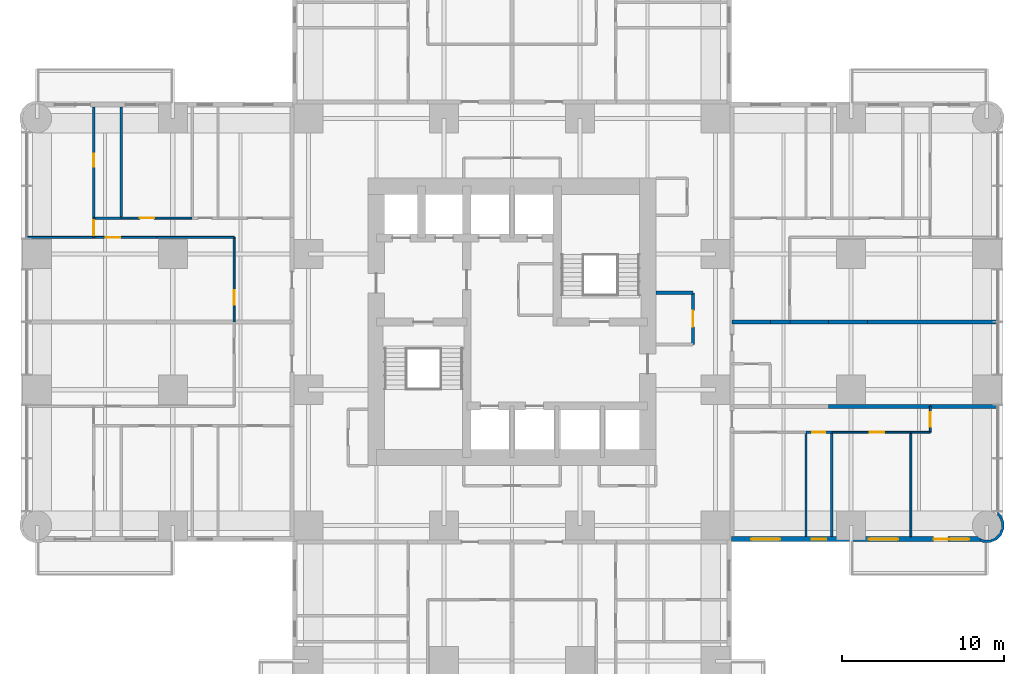
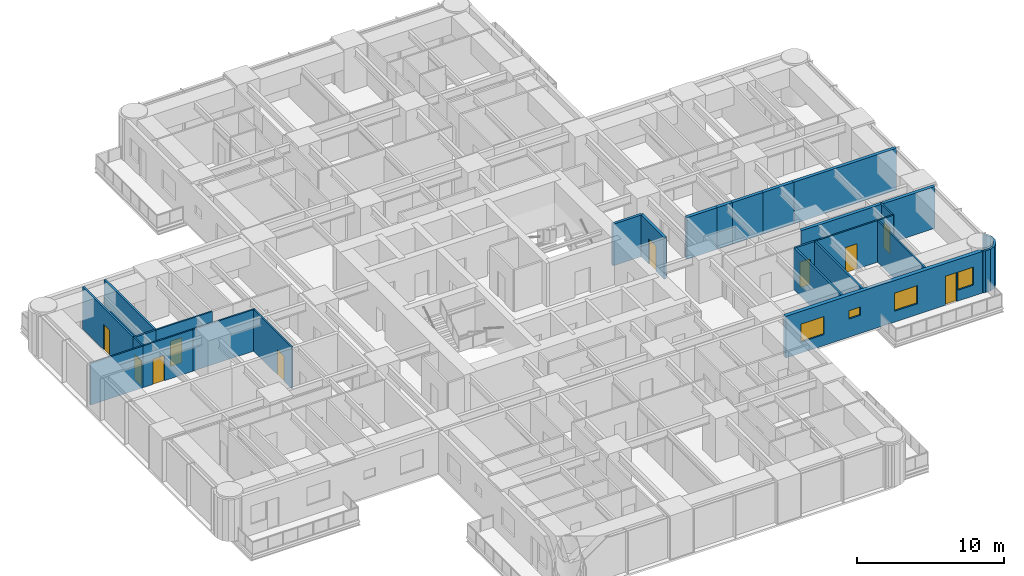
# One storey, part 11 of 17: 27 walls, 10 doors, 4 windows, 14 openings.
"""IFC4 building model written with IfcOpenShell, lengths in metres."""

from ifc_helpers import new_model, si_unit, direction, frame, frame_2d, origin, place, context, subcontext, project, spatial, polyline, rectangle, outline, extrude, material, layer, layer_set, type_object, element, fill, save


model = new_model("IFC4")

# Units and contexts
model_context = context("Model", 3, precision=1e-05, world=origin(), true_north=direction((0.0, 1.0)))
body_context = subcontext(model_context, "Body", "Model", "MODEL_VIEW")
ifc_project = project(units=[si_unit("LENGTHUNIT", "METRE"), si_unit("AREAUNIT", "SQUARE_METRE"), si_unit("VOLUMEUNIT", "CUBIC_METRE"), si_unit("PLANEANGLEUNIT", "RADIAN"), si_unit("MASSUNIT", "GRAM", prefix="KILO")], contexts=[model_context])

# Site, building, storey
site_placement = place(None, origin())
site = spatial("IfcSite", under=ifc_project, at=site_placement, CompositionType="ELEMENT")
building_placement = place(site_placement, origin())
building = spatial("IfcBuilding", under=site, at=building_placement, Name="Torre Alcanfor", CompositionType="ELEMENT")
storey_placement = place(building_placement, frame((0.0, 0.0, 56.10009765625)))
storey = spatial("IfcBuildingStorey", under=building, at=storey_placement, Name="L13", CompositionType="ELEMENT", Elevation=56.10009765625)

# Wall, opening, door
ifc_material_1 = material(Name="Gypsum board on steel studs", Category="steel")
ifc_layer_1 = layer(ifc_material_1, 0.1201171875)
ifc_layer_set_1 = layer_set([ifc_layer_1], Name="Apartment partition 120")
wall_type_1 = type_object("IfcWallType", Name="Apartment partition 120", PredefinedType="PARTITIONING", material=ifc_layer_set_1)
wall_1_placement = place(storey_placement, frame((54.10009765625, 22.571044921875, 0.0), z_axis=(0.0, 0.0, 1.0), x_axis=(-1.0, 0.0, 0.0)))
wall_1 = element("IfcWall", 1, at=wall_1_placement, inside=storey, type_object=wall_type_1, Name="Partition L13-E2B-HALL / L13-E2B-MASTER", PredefinedType="PARTITIONING", context=body_context, shape_type="SweptSolid", body=[
    extrude(rectangle(XDim=4.900146484375, YDim=0.1201171875, at=frame_2d((2.4501953125, 0.0))), origin(), (0.0, 0.0, 1.0), 3.449951171875),
])
opening_1_placement = place(wall_1_placement, frame((1.64990234375, 0.0, 0.0)))
opening_1 = element("IfcOpeningElement", 2, at=opening_1_placement, cuts=wall_1, Name="Opening D-R1", PredefinedType="OPENING", context=body_context, shape_type="SweptSolid", body=[
    extrude(rectangle(XDim=0.89990234375, YDim=2.10009765625, at=frame_2d((0.449951171875, 1.050048828125))), frame((0.0, 0.070068359375, 0.0), z_axis=(0.0, -1.0, 0.0), x_axis=(1.0, 0.0, 0.0)), (0.0, 0.0, 1.0), 0.14013671875),
])
ifc_material_2 = material(Name="Timber", Category="wood")
door_type_1 = type_object("IfcDoorType", Name="Internal door 900x2100", OperationType="SINGLE_SWING_LEFT", PredefinedType="DOOR", material=ifc_material_2)
door_1_placement = place(opening_1_placement, origin())
door_1 = element("IfcDoor", 3, at=door_1_placement, inside=storey, type_object=door_type_1, Name="Door L13-E2B master", OperationType="SINGLE_SWING_LEFT", OverallHeight=2.10009765625, OverallWidth=0.89990234375, PredefinedType="DOOR", context=body_context, shape_type="SweptSolid", body=[
    extrude(rectangle(XDim=0.89990234375, YDim=2.10009765625, at=frame_2d((0.449951171875, 1.050048828125))), frame((0.0, 0.02490234375, 0.0), z_axis=(0.0, -1.0, 0.0), x_axis=(1.0, 0.0, 0.0)), (0.0, 0.0, 1.0), 0.050048828125),
])
fill(opening_1, door_1)

# Wall
wall_2_placement = place(storey_placement, frame((55.300048828125, 22.571044921875, 0.0), z_axis=(0.0, 0.0, 1.0), x_axis=(-1.0, 0.0, 0.0)))
element("IfcWall", 4, at=wall_2_placement, inside=storey, type_object=wall_type_1, Name="Partition L13-E2B-HALL / L13-E2B-KITCHEN", PredefinedType="PARTITIONING", context=body_context, shape_type="SweptSolid", body=[
    extrude(rectangle(XDim=1.199951171875, YDim=0.1201171875, at=frame_2d((0.60009765625, 0.0))), origin(), (0.0, 0.0, 1.0), 3.449951171875),
])

# Wall, opening, door
wall_3_placement = place(storey_placement, frame((55.300048828125, 24.1708984375, 0.0), z_axis=(0.0, 0.0, 1.0), x_axis=(0.0, -1.0, 0.0)))
wall_3 = element("IfcWall", 5, at=wall_3_placement, inside=storey, type_object=wall_type_1, Name="Partition L13-E2B-HALL / L13-E2B-LIVING", PredefinedType="PARTITIONING", context=body_context, shape_type="SweptSolid", body=[
    extrude(rectangle(XDim=1.599853515625, YDim=0.1201171875, at=frame_2d((0.7998046875, 0.0))), origin(), (0.0, 0.0, 1.0), 3.449951171875),
])
opening_2_placement = place(wall_3_placement, frame((0.35009765625, 0.0, 0.0)))
opening_2 = element("IfcOpeningElement", 6, at=opening_2_placement, cuts=wall_3, Name="Opening D-R1", PredefinedType="OPENING", context=body_context, shape_type="SweptSolid", body=[
    extrude(rectangle(XDim=0.89990234375, YDim=2.10009765625, at=frame_2d((0.449951171875, 1.050048828125))), frame((0.0, 0.070068359375, 0.0), z_axis=(0.0, -1.0, 0.0), x_axis=(1.0, 0.0, 0.0)), (0.0, 0.0, 1.0), 0.14013671875),
])
door_2_placement = place(opening_2_placement, origin())
door_2 = element("IfcDoor", 7, at=door_2_placement, inside=storey, type_object=door_type_1, Name="Door L13-E2B living", OperationType="SINGLE_SWING_LEFT", OverallHeight=2.10009765625, OverallWidth=0.89990234375, PredefinedType="DOOR", context=body_context, shape_type="SweptSolid", body=[
    extrude(rectangle(XDim=0.89990234375, YDim=2.10009765625, at=frame_2d((0.449951171875, 1.050048828125))), frame((0.0, 0.02490234375, 0.0), z_axis=(0.0, -1.0, 0.0), x_axis=(1.0, 0.0, 0.0)), (0.0, 0.0, 1.0), 0.050048828125),
])
fill(opening_2, door_2)

# Wall
wall_4_placement = place(storey_placement, frame((54.10009765625, 22.571044921875, 0.0), z_axis=(0.0, 0.0, 1.0), x_axis=(0.0, -1.0, 0.0)))
element("IfcWall", 8, at=wall_4_placement, inside=storey, type_object=wall_type_1, Name="Partition L13-E2B-MASTER / L13-E2B-KITCHEN", PredefinedType="PARTITIONING", context=body_context, shape_type="SweptSolid", body=[
    extrude(rectangle(XDim=6.470947265625, YDim=0.1201171875, at=frame_2d((3.2353515625, 0.0))), origin(), (0.0, 0.0, 1.0), 3.449951171875),
])

# Wall, opening, door
wall_5_placement = place(storey_placement, frame((12.199951171875, 29.39990234375, 0.0), z_axis=(0.0, 0.0, 1.0), x_axis=(0.0, 1.0, 0.0)))
wall_5 = element("IfcWall", 9, at=wall_5_placement, inside=storey, type_object=wall_type_1, Name="Partition L13-W2-ZAG / L13-W2-KITCHEN", PredefinedType="PARTITIONING", context=body_context, shape_type="SweptSolid", body=[
    extrude(rectangle(XDim=5.22900390625, YDim=0.1201171875, at=frame_2d((2.614501953125, 0.0))), origin(), (0.0, 0.0, 1.0), 3.449951171875),
])
opening_3_placement = place(wall_5_placement, frame((1.050048828125, 0.0, 0.0)))
opening_3 = element("IfcOpeningElement", 10, at=opening_3_placement, cuts=wall_5, Name="Opening D-R1", PredefinedType="OPENING", context=body_context, shape_type="SweptSolid", body=[
    extrude(rectangle(XDim=0.89990234375, YDim=2.10009765625, at=frame_2d((0.449951171875, 1.050048828125))), frame((0.0, 0.070068359375, 0.0), z_axis=(0.0, -1.0, 0.0), x_axis=(1.0, 0.0, 0.0)), (0.0, 0.0, 1.0), 0.14013671875),
])
door_3_placement = place(opening_3_placement, origin())
door_3 = element("IfcDoor", 11, at=door_3_placement, inside=storey, type_object=door_type_1, Name="Door L13-W2 kitchen", OperationType="SINGLE_SWING_LEFT", OverallHeight=2.10009765625, OverallWidth=0.89990234375, PredefinedType="DOOR", context=body_context, shape_type="SweptSolid", body=[
    extrude(rectangle(XDim=0.89990234375, YDim=2.10009765625, at=frame_2d((0.449951171875, 1.050048828125))), frame((0.0, 0.02490234375, 0.0), z_axis=(0.0, -1.0, 0.0), x_axis=(1.0, 0.0, 0.0)), (0.0, 0.0, 1.0), 0.050048828125),
])
fill(opening_3, door_3)

# Wall
wall_6_placement = place(storey_placement, frame((7.39990234375, 34.62890625, 0.0), z_axis=(0.0, 0.0, 1.0), x_axis=(1.0, 0.0, 0.0)))
element("IfcWall", 12, at=wall_6_placement, inside=storey, type_object=wall_type_1, Name="Partition L13-W2-KITCHEN / L13-W2-HALL", PredefinedType="PARTITIONING", context=body_context, shape_type="SweptSolid", body=[
    extrude(rectangle(XDim=4.800048828125, YDim=0.1201171875, at=frame_2d((2.39990234375, 0.0))), origin(), (0.0, 0.0, 1.0), 3.449951171875),
])

# Wall, opening, door
wall_7_placement = place(storey_placement, frame((3.5, 34.62890625, 0.0), z_axis=(0.0, 0.0, 1.0), x_axis=(1.0, 0.0, 0.0)))
wall_7 = element("IfcWall", 13, at=wall_7_placement, inside=storey, type_object=wall_type_1, Name="Partition L13-W2-LIVING / L13-W2-HALL", PredefinedType="PARTITIONING", context=body_context, shape_type="SweptSolid", body=[
    extrude(rectangle(XDim=3.89990234375, YDim=0.1201171875, at=frame_2d((1.949951171875, 0.0))), origin(), (0.0, 0.0, 1.0), 3.449951171875),
])
opening_4_placement = place(wall_7_placement, frame((0.75, 0.0, 0.0)))
opening_4 = element("IfcOpeningElement", 14, at=opening_4_placement, cuts=wall_7, Name="Opening D-R1", PredefinedType="OPENING", context=body_context, shape_type="SweptSolid", body=[
    extrude(rectangle(XDim=0.89990234375, YDim=2.10009765625, at=frame_2d((0.449951171875, 1.050048828125))), frame((0.0, 0.070068359375, 0.0), z_axis=(0.0, -1.0, 0.0), x_axis=(1.0, 0.0, 0.0)), (0.0, 0.0, 1.0), 0.14013671875),
])
door_4_placement = place(opening_4_placement, frame((0.89990234375, 0.0, 0.0), z_axis=(0.0, 0.0, 1.0), x_axis=(-1.0, 0.0, 0.0)))
door_4 = element("IfcDoor", 15, at=door_4_placement, inside=storey, type_object=door_type_1, Name="Door L13-W2 living", OperationType="SINGLE_SWING_LEFT", OverallHeight=2.10009765625, OverallWidth=0.89990234375, PredefinedType="DOOR", context=body_context, shape_type="SweptSolid", body=[
    extrude(rectangle(XDim=0.89990234375, YDim=2.10009765625, at=frame_2d((0.449951171875, 1.050048828125))), frame((0.0, 0.025146484375, 0.0), z_axis=(0.0, -1.0, 0.0), x_axis=(1.0, 0.0, 0.0)), (0.0, 0.0, 1.0), 0.050048828125),
])
fill(opening_4, door_4)

# Wall
wall_8_placement = place(storey_placement, frame((-0.64990234375, 34.62890625, 0.0), z_axis=(0.0, 0.0, 1.0), x_axis=(1.0, 0.0, 0.0)))
element("IfcWall", 16, at=wall_8_placement, inside=storey, type_object=wall_type_1, Name="Partition L13-W2-LIVING / L13-W2-MASTER", PredefinedType="PARTITIONING", context=body_context, shape_type="SweptSolid", body=[
    extrude(rectangle(XDim=4.14990234375, YDim=0.1201171875, at=frame_2d((2.074951171875, 0.0))), origin(), (0.0, 0.0, 1.0), 3.449951171875),
])

# Wall, opening, door
wall_9_placement = place(storey_placement, frame((5.199951171875, 35.8291015625, 0.0), z_axis=(0.0, 0.0, 1.0), x_axis=(1.0, 0.0, 0.0)))
wall_9 = element("IfcWall", 17, at=wall_9_placement, inside=storey, type_object=wall_type_1, Name="Partition L13-W2-HALL / L13-W2-BED2", PredefinedType="PARTITIONING", context=body_context, shape_type="SweptSolid", body=[
    extrude(rectangle(XDim=4.400146484375, YDim=0.1201171875, at=frame_2d((2.2001953125, 0.0))), origin(), (0.0, 0.0, 1.0), 3.449951171875),
])
opening_5_placement = place(wall_9_placement, frame((1.14990234375, 0.0, 0.0)))
opening_5 = element("IfcOpeningElement", 18, at=opening_5_placement, cuts=wall_9, Name="Opening D-R1", PredefinedType="OPENING", context=body_context, shape_type="SweptSolid", body=[
    extrude(rectangle(XDim=0.89990234375, YDim=2.10009765625, at=frame_2d((0.449951171875, 1.050048828125))), frame((0.0, 0.070068359375, 0.0), z_axis=(0.0, -1.0, 0.0), x_axis=(1.0, 0.0, 0.0)), (0.0, 0.0, 1.0), 0.14013671875),
])
door_5_placement = place(opening_5_placement, origin())
door_5 = element("IfcDoor", 19, at=door_5_placement, inside=storey, type_object=door_type_1, Name="Door L13-W2 bed2", OperationType="SINGLE_SWING_LEFT", OverallHeight=2.10009765625, OverallWidth=0.89990234375, PredefinedType="DOOR", context=body_context, shape_type="SweptSolid", body=[
    extrude(rectangle(XDim=0.89990234375, YDim=2.10009765625, at=frame_2d((0.449951171875, 1.050048828125))), frame((0.0, 0.02490234375, 0.0), z_axis=(0.0, -1.0, 0.0), x_axis=(1.0, 0.0, 0.0)), (0.0, 0.0, 1.0), 0.050048828125),
])
fill(opening_5, door_5)

wall_10_placement = place(storey_placement, frame((3.5, 34.62890625, 0.0), z_axis=(0.0, 0.0, 1.0), x_axis=(0.0, 1.0, 0.0)))
wall_10 = element("IfcWall", 20, at=wall_10_placement, inside=storey, type_object=wall_type_1, Name="Partition L13-W2-HALL / L13-W2-MASTER", PredefinedType="PARTITIONING", context=body_context, shape_type="SweptSolid", body=[
    extrude(rectangle(XDim=1.2001953125, YDim=0.1201171875, at=frame_2d((0.60009765625, 0.0))), origin(), (0.0, 0.0, 1.0), 3.449951171875),
])
opening_6_placement = place(wall_10_placement, frame((0.15087890625, 0.0, 0.0)))
opening_6 = element("IfcOpeningElement", 21, at=opening_6_placement, cuts=wall_10, Name="Opening D-R1", PredefinedType="OPENING", context=body_context, shape_type="SweptSolid", body=[
    extrude(rectangle(XDim=0.89990234375, YDim=2.10009765625, at=frame_2d((0.449951171875, 1.050048828125))), frame((0.0, 0.070068359375, 0.0), z_axis=(0.0, -1.0, 0.0), x_axis=(1.0, 0.0, 0.0)), (0.0, 0.0, 1.0), 0.14013671875),
])
door_6_placement = place(opening_6_placement, origin())
door_6 = element("IfcDoor", 22, at=door_6_placement, inside=storey, type_object=door_type_1, Name="Door L13-W2 master", OperationType="SINGLE_SWING_LEFT", OverallHeight=2.10009765625, OverallWidth=0.89990234375, PredefinedType="DOOR", context=body_context, shape_type="SweptSolid", body=[
    extrude(rectangle(XDim=0.89990234375, YDim=2.10009765625, at=frame_2d((0.449951171875, 1.050048828125))), frame((0.0, 0.02490234375, 0.0), z_axis=(0.0, -1.0, 0.0), x_axis=(1.0, 0.0, 0.0)), (0.0, 0.0, 1.0), 0.050048828125),
])
fill(opening_6, door_6)

# Wall, openings, door, windows
ifc_material_3 = material(Name="Limestone cladding", Category="masonry")
ifc_layer_2 = layer(ifc_material_3, 0.0400390625, Name="Facing")
ifc_material_4 = material(Name="Ventilated air cavity")
ifc_layer_3 = layer(ifc_material_4, 0.02001953125, ventilated=True, Name="Ventilated joint")
ifc_material_5 = material(Name="Mineral wool insulation", Category="insulation")
ifc_layer_4 = layer(ifc_material_5, 0.10009765625, Name="Insulation")
ifc_material_6 = material(Name="Concrete f'c 35 MPa", Category="concrete")
ifc_layer_5 = layer(ifc_material_6, 0.139892578125, Name="Backing")
ifc_layer_set_2 = layer_set([ifc_layer_2, ifc_layer_3, ifc_layer_4, ifc_layer_5], Name="External wall stone-clad 300")
wall_type_2 = type_object("IfcWallType", Name="External wall stone-clad 300", PredefinedType="SOLIDWALL", material=ifc_layer_set_2)
wall_11_placement = place(storey_placement, frame((43.0, 15.949951171875, 0.0), z_axis=(0.0, 0.0, 1.0), x_axis=(1.0, 0.0, 0.0)))
wall_11 = element("IfcWall", 23, at=wall_11_placement, inside=storey, type_object=wall_type_2, Name="External wall L13 7", PredefinedType="SOLIDWALL", context=body_context, shape_type="SweptSolid", body=[
    extrude(rectangle(XDim=15.39990234375, YDim=0.300048828125, at=frame_2d((7.699951171875, 0.0))), origin(), (0.0, 0.0, 1.0), 3.449951171875),
])
opening_7_placement = place(wall_11_placement, frame((1.199951171875, 0.0, 0.89990234375)))
opening_7 = element("IfcOpeningElement", 24, at=opening_7_placement, cuts=wall_11, Name="Opening W2", PredefinedType="OPENING", context=body_context, shape_type="SweptSolid", body=[
    extrude(rectangle(XDim=1.800048828125, YDim=1.5, at=frame_2d((0.89990234375, 0.75))), frame((0.0, 0.159912109375, 0.0), z_axis=(0.0, -1.0, 0.0), x_axis=(1.0, 0.0, 0.0)), (0.0, 0.0, 1.0), 0.320068359375),
])
opening_8_placement = place(wall_11_placement, frame((4.949951171875, 0.0, 1.5)))
opening_8 = element("IfcOpeningElement", 25, at=opening_8_placement, cuts=wall_11, Name="Opening W3", PredefinedType="OPENING", context=body_context, shape_type="SweptSolid", body=[
    extrude(rectangle(XDim=0.89990234375, YDim=0.699951171875, at=frame_2d((0.449951171875, 0.35009765625))), frame((0.0, 0.159912109375, 0.0), z_axis=(0.0, -1.0, 0.0), x_axis=(1.0, 0.0, 0.0)), (0.0, 0.0, 1.0), 0.320068359375),
])
opening_9_placement = place(wall_11_placement, frame((8.5, 0.0, 0.89990234375)))
opening_9 = element("IfcOpeningElement", 26, at=opening_9_placement, cuts=wall_11, Name="Opening W2", PredefinedType="OPENING", context=body_context, shape_type="SweptSolid", body=[
    extrude(rectangle(XDim=1.800048828125, YDim=1.5, at=frame_2d((0.89990234375, 0.75))), frame((0.0, 0.159912109375, 0.0), z_axis=(0.0, -1.0, 0.0), x_axis=(1.0, 0.0, 0.0)), (0.0, 0.0, 1.0), 0.320068359375),
])
opening_10_placement = place(wall_11_placement, frame((12.5, 0.0, 0.0)))
opening_10 = element("IfcOpeningElement", 27, at=opening_10_placement, cuts=wall_11, Name="Opening D-B1", PredefinedType="OPENING", context=body_context, shape_type="SweptSolid", body=[
    extrude(rectangle(XDim=0.89990234375, YDim=2.39990234375, at=frame_2d((0.449951171875, 1.199951171875))), frame((0.0, 0.159912109375, 0.0), z_axis=(0.0, -1.0, 0.0), x_axis=(1.0, 0.0, 0.0)), (0.0, 0.0, 1.0), 0.320068359375),
])
opening_11_placement = place(wall_11_placement, frame((13.5, 0.0, 0.89990234375)))
opening_11 = element("IfcOpeningElement", 28, at=opening_11_placement, cuts=wall_11, Name="Opening W4", PredefinedType="OPENING", context=body_context, shape_type="SweptSolid", body=[
    extrude(rectangle(XDim=1.199951171875, YDim=1.5, at=frame_2d((0.60009765625, 0.75))), frame((0.0, 0.159912109375, 0.0), z_axis=(0.0, -1.0, 0.0), x_axis=(1.0, 0.0, 0.0)), (0.0, 0.0, 1.0), 0.320068359375),
])
ifc_material_7 = material(Name="Aluminium and glass", Category="aluminium")
door_type_2 = type_object("IfcDoorType", Name="Balcony door glazed 900x2400", OperationType="SINGLE_SWING_LEFT", PredefinedType="DOOR", material=ifc_material_7)
door_7_placement = place(opening_10_placement, origin())
door_7 = element("IfcDoor", 29, at=door_7_placement, inside=storey, type_object=door_type_2, Name="Balcony door L13-E2", OperationType="SINGLE_SWING_LEFT", OverallHeight=2.39990234375, OverallWidth=0.89990234375, PredefinedType="DOOR", context=body_context, shape_type="SweptSolid", body=[
    extrude(rectangle(XDim=0.89990234375, YDim=2.39990234375, at=frame_2d((0.449951171875, 1.199951171875))), frame((0.0, 0.02490234375, 0.0), z_axis=(0.0, -1.0, 0.0), x_axis=(1.0, 0.0, 0.0)), (0.0, 0.0, 1.0), 0.050048828125),
])
fill(opening_10, door_7)
ifc_material_8 = material(Name="Aluminium frame with clear double glazing", Category="aluminium")
window_type_1 = type_object("IfcWindowType", Name="Window bathroom 900x700", PartitioningType="SINGLE_PANEL", PredefinedType="WINDOW", material=ifc_material_8)
window_1_placement = place(opening_8_placement, origin())
window_1 = element("IfcWindow", 30, at=window_1_placement, inside=storey, type_object=window_type_1, Name="Window W3 L13-E2", OverallHeight=0.699951171875, OverallWidth=0.89990234375, PartitioningType="SINGLE_PANEL", PredefinedType="WINDOW", context=body_context, shape_type="SweptSolid", body=[
    extrude(rectangle(XDim=0.89990234375, YDim=0.699951171875, at=frame_2d((0.449951171875, 0.35009765625))), frame((0.0, 0.030029296875, 0.0), z_axis=(0.0, -1.0, 0.0), x_axis=(1.0, 0.0, 0.0)), (0.0, 0.0, 1.0), 0.06005859375),
])
fill(opening_8, window_1)
ifc_material_9 = material(Name="Aluminium frame with clear double glazing", Category="aluminium")
window_type_2 = type_object("IfcWindowType", Name="Window bedroom 1200x1500", PartitioningType="SINGLE_PANEL", PredefinedType="WINDOW", material=ifc_material_9)
window_2_placement = place(opening_11_placement, origin())
window_2 = element("IfcWindow", 31, at=window_2_placement, inside=storey, type_object=window_type_2, Name="Window W4 L13-E2", OverallHeight=1.5, OverallWidth=1.199951171875, PartitioningType="SINGLE_PANEL", PredefinedType="WINDOW", context=body_context, shape_type="SweptSolid", body=[
    extrude(rectangle(XDim=1.199951171875, YDim=1.5, at=frame_2d((0.60009765625, 0.75))), frame((0.0, 0.030029296875, 0.0), z_axis=(0.0, -1.0, 0.0), x_axis=(1.0, 0.0, 0.0)), (0.0, 0.0, 1.0), 0.06005859375),
])
fill(opening_11, window_2)
ifc_material_10 = material(Name="Aluminium frame with clear double glazing", Category="aluminium")
window_type_3 = type_object("IfcWindowType", Name="Window bedroom 1800x1500", PartitioningType="SINGLE_PANEL", PredefinedType="WINDOW", material=ifc_material_10)
window_3_placement = place(opening_7_placement, origin())
window_3 = element("IfcWindow", 32, at=window_3_placement, inside=storey, type_object=window_type_3, Name="Window W2 L13-E2", OverallHeight=1.5, OverallWidth=1.800048828125, PartitioningType="SINGLE_PANEL", PredefinedType="WINDOW", context=body_context, shape_type="SweptSolid", body=[
    extrude(rectangle(XDim=1.800048828125, YDim=1.5, at=frame_2d((0.89990234375, 0.75))), frame((0.0, 0.030029296875, 0.0), z_axis=(0.0, -1.0, 0.0), x_axis=(1.0, 0.0, 0.0)), (0.0, 0.0, 1.0), 0.06005859375),
])
fill(opening_7, window_3)
window_4_placement = place(opening_9_placement, origin())
window_4 = element("IfcWindow", 33, at=window_4_placement, inside=storey, type_object=window_type_3, Name="Window W2 L13-E2", OverallHeight=1.5, OverallWidth=1.800048828125, PartitioningType="SINGLE_PANEL", PredefinedType="WINDOW", context=body_context, shape_type="SweptSolid", body=[
    extrude(rectangle(XDim=1.800048828125, YDim=1.5, at=frame_2d((0.89990234375, 0.75))), frame((0.0, 0.030029296875, 0.0), z_axis=(0.0, -1.0, 0.0), x_axis=(1.0, 0.0, 0.0)), (0.0, 0.0, 1.0), 0.06005859375),
])
fill(opening_9, window_4)

# Walls
ifc_material_11 = material(Name="Concrete block masonry, hollow blocks NMX-C-404 9 MPa", Category="masonry")
ifc_layer_6 = layer(ifc_material_11, 0.25)
ifc_layer_set_3 = layer_set([ifc_layer_6], Name="Party wall 250 EI 60")
wall_type_3 = type_object("IfcWallType", Name="Party wall 250 EI 60", PredefinedType="PARTITIONING", material=ifc_layer_set_3)
wall_12_placement = place(storey_placement, frame((43.02490234375, 29.39990234375, 0.0), z_axis=(0.0, 0.0, 1.0), x_axis=(1.0, 0.0, 0.0)))
element("IfcWall", 34, at=wall_12_placement, inside=storey, type_object=wall_type_3, Name="Partition L13-E1-ZAG / L13-E2A-FOYER", PredefinedType="PARTITIONING", context=body_context, shape_type="SweptSolid", body=[
    extrude(rectangle(XDim=2.375, YDim=0.25, at=frame_2d((1.1875, 0.0))), origin(), (0.0, 0.0, 1.0), 3.449951171875),
])
wall_13_placement = place(storey_placement, frame((45.39990234375, 29.39990234375, 0.0), z_axis=(0.0, 0.0, 1.0), x_axis=(1.0, 0.0, 0.0)))
element("IfcWall", 35, at=wall_13_placement, inside=storey, type_object=wall_type_3, Name="Partition L13-E1-ZAG / L13-E2A-KITCHEN", PredefinedType="PARTITIONING", context=body_context, shape_type="SweptSolid", body=[
    extrude(rectangle(XDim=1.2001953125, YDim=0.25, at=frame_2d((0.60009765625, 0.0))), origin(), (0.0, 0.0, 1.0), 3.449951171875),
])
for number, where, z_axis, x_axis, name in (
    (36, (46.60009765625, 29.39990234375, 0.0), (0.0, 0.0, 1.0), (1.0, 0.0, 0.0), "Partition L13-E1-KITCHEN / L13-E2A-KITCHEN"),
    (37, (49.0, 29.39990234375, 0.0), (0.0, 0.0, 1.0), (1.0, 0.0, 0.0), "Partition L13-E1-KITCHEN / L13-E2A-STUDIO"),
):
    element("IfcWall", number, at=place(storey_placement, frame(where, z_axis=z_axis, x_axis=x_axis)), inside=storey, type_object=wall_type_3, Name=name, PredefinedType="PARTITIONING", context=body_context, shape_type="SweptSolid", body=[
        extrude(rectangle(XDim=2.39990234375, YDim=0.25, at=frame_2d((1.199951171875, 0.0))), origin(), (0.0, 0.0, 1.0), 3.449951171875),
    ])
wall_14_placement = place(storey_placement, frame((51.39990234375, 29.39990234375, 0.0), z_axis=(0.0, 0.0, 1.0), x_axis=(1.0, 0.0, 0.0)))
element("IfcWall", 38, at=wall_14_placement, inside=storey, type_object=wall_type_3, Name="Partition L13-E1-LIVING / L13-E2A-STUDIO", PredefinedType="PARTITIONING", context=body_context, shape_type="SweptSolid", body=[
    extrude(rectangle(XDim=8.050048828125, YDim=0.25, at=frame_2d((4.02490234375, 0.0))), origin(), (0.0, 0.0, 1.0), 3.449951171875),
])
wall_15_placement = place(storey_placement, frame((55.300048828125, 24.1708984375, 0.0), z_axis=(0.0, 0.0, 1.0), x_axis=(-1.0, 0.0, 0.0)))
element("IfcWall", 39, at=wall_15_placement, inside=storey, type_object=wall_type_3, Name="Partition L13-E2A-STUDIO / L13-E2B-HALL", PredefinedType="PARTITIONING", context=body_context, shape_type="SweptSolid", body=[
    extrude(rectangle(XDim=6.300048828125, YDim=0.25, at=frame_2d((3.14990234375, 0.0))), origin(), (0.0, 0.0, 1.0), 3.449951171875),
])
wall_16_placement = place(storey_placement, frame((59.449951171875, 24.1708984375, 0.0), z_axis=(0.0, 0.0, 1.0), x_axis=(-1.0, 0.0, 0.0)))
element("IfcWall", 40, at=wall_16_placement, inside=storey, type_object=wall_type_3, Name="Partition L13-E2A-STUDIO / L13-E2B-LIVING", PredefinedType="PARTITIONING", context=body_context, shape_type="SweptSolid", body=[
    extrude(rectangle(XDim=4.14990234375, YDim=0.25, at=frame_2d((2.074951171875, 0.0))), origin(), (0.0, 0.0, 1.0), 3.449951171875),
])

# Wall, opening, door
ifc_material_12 = material(Name="Concrete block masonry, hollow blocks NMX-C-404 9 MPa", Category="masonry")
ifc_layer_7 = layer(ifc_material_12, 0.199951171875)
ifc_layer_set_4 = layer_set([ifc_layer_7], Name="Plant room wall 200 EI 60")
wall_type_4 = type_object("IfcWallType", Name="Plant room wall 200 EI 60", PredefinedType="PARTITIONING", material=ifc_layer_set_4)
wall_17_placement = place(storey_placement, frame((40.60009765625, 28.0, 0.0), z_axis=(0.0, 0.0, 1.0), x_axis=(0.0, 1.0, 0.0)))
wall_17 = element("IfcWall", 41, at=wall_17_placement, inside=storey, type_object=wall_type_4, Name="Partition L13-CORR / L13-G02", PredefinedType="PARTITIONING", context=body_context, shape_type="SweptSolid", body=[
    extrude(rectangle(XDim=3.199951171875, YDim=0.199951171875, at=frame_2d((1.60009765625, 0.0))), origin(), (0.0, 0.0, 1.0), 3.449951171875),
])
opening_12_placement = place(wall_17_placement, frame((1.10009765625, 0.0, 0.0)))
opening_12 = element("IfcOpeningElement", 42, at=opening_12_placement, cuts=wall_17, Name="Opening D-K1", PredefinedType="OPENING", context=body_context, shape_type="SweptSolid", body=[
    extrude(rectangle(XDim=1.0, YDim=2.10009765625, at=frame_2d((0.5, 1.050048828125))), frame((0.0, 0.10986328125, 0.0), z_axis=(0.0, -1.0, 0.0), x_axis=(1.0, 0.0, 0.0)), (0.0, 0.0, 1.0), 0.219970703125),
])
ifc_material_13 = material(Name="Galvanised steel sheet ASTM A653", Category="steel")
door_type_3 = type_object("IfcDoorType", Name="Core room door FD60 1000x2100", OperationType="SINGLE_SWING_LEFT", PredefinedType="DOOR", material=ifc_material_13)
door_8_placement = place(opening_12_placement, origin())
door_8 = element("IfcDoor", 43, at=door_8_placement, inside=storey, type_object=door_type_3, Name="Door L13-G02 refuse and recycling store", OperationType="SINGLE_SWING_LEFT", OverallHeight=2.10009765625, OverallWidth=1.0, PredefinedType="DOOR", context=body_context, shape_type="SweptSolid", body=[
    extrude(rectangle(XDim=1.0, YDim=2.10009765625, at=frame_2d((0.5, 1.050048828125))), frame((0.0, 0.02490234375, 0.0), z_axis=(0.0, -1.0, 0.0), x_axis=(1.0, 0.0, 0.0)), (0.0, 0.0, 1.0), 0.050048828125),
])
fill(opening_12, door_8)

# Walls
wall_18_placement = place(storey_placement, frame((40.60009765625, 31.199951171875, 0.0), z_axis=(0.0, 0.0, 1.0), x_axis=(-1.0, 0.0, 0.0)))
element("IfcWall", 44, at=wall_18_placement, inside=storey, type_object=wall_type_4, Name="Partition L13-CORR / L13-G02", PredefinedType="PARTITIONING", context=body_context, shape_type="SweptSolid", body=[
    extrude(rectangle(XDim=2.300048828125, YDim=0.199951171875, at=frame_2d((1.14990234375, 0.0))), origin(), (0.0, 0.0, 1.0), 3.449951171875),
])
ifc_layer_8 = layer(ifc_material_3, 0.0400390625, Name="Facing")
ifc_layer_9 = layer(ifc_material_4, 0.02001953125, ventilated=True, Name="Ventilated joint")
ifc_layer_10 = layer(ifc_material_5, 0.10009765625, Name="Insulation")
ifc_layer_11 = layer(ifc_material_6, 0.139892578125, Name="Backing")
ifc_layer_set_5 = layer_set([ifc_layer_8, ifc_layer_9, ifc_layer_10, ifc_layer_11], Name="Rounded corner pier stone-clad 300")
wall_type_5 = type_object("IfcWallType", Name="Rounded corner pier stone-clad 300", PredefinedType="SOLIDWALL", material=ifc_layer_set_5)
wall_19_placement = place(storey_placement, frame((58.436037137, 15.890092843, 0.0), z_axis=(0.0, 0.0, 1.0), x_axis=(0.926129809145, -0.377204953059, 0.0)))
element("IfcWall", 45, at=wall_19_placement, inside=storey, type_object=wall_type_5, Name="Corner pier L13 17", PredefinedType="SOLIDWALL", context=body_context, shape_type="SweptSolid", body=[
    extrude(outline(polyline([(0.769166837716128, 1.7276108100514604), (0.7500653632983351, 1.7227306908268178), (0.5995000244675756, 1.8749338844742405), (0.2945752424497483, 2.003546223814982), (0.2810088878235957, 1.9980207606354041), (0.36029928445054193, 1.803343571750114), (0.5086711604613772, 1.740666542271283), (0.7606181499848057, 1.4858220995022824), (0.8958078157784841, 1.153898622982415), (0.8937038530249802, 0.7953177307388815), (0.7545964309992416, 0.4650292826997394), (0.49975198823024103, 0.21308229317631072), (0.16782851171037358, 0.07789262738263233), (-0.0998950178182167, 0.07956887308382314), (0.0004995392280573718, -0.09702266930253471), (0.03004451591433495, -0.08024419760165923), (0.19838601885213236, -0.08127415720020953), (0.5888709261748919, 0.07776709131864781), (0.888863773202199, 0.37420041869354087), (1.0524038230869968, 0.7629450169505976), (1.0552007062717619, 1.1845482211771667), (0.8961594577529046, 1.5750331284999262), (0.777713405588319, 1.694976661367872), (0.769166837716128, 1.7276108100514604)])), origin(), (0.0, 0.0, 1.0), 3.449951171875),
])

# Wall, opening, door
ifc_material_14 = material(Name="Cement board on steel studs", Category="steel")
ifc_layer_12 = layer(ifc_material_14, 0.14990234375)
ifc_layer_set_6 = layer_set([ifc_layer_12], Name="Wet area partition 150")
wall_type_6 = type_object("IfcWallType", Name="Wet area partition 150", PredefinedType="PARTITIONING", material=ifc_layer_set_6)
wall_20_placement = place(storey_placement, frame((49.199951171875, 22.571044921875, 0.0), z_axis=(0.0, 0.0, 1.0), x_axis=(-1.0, 0.0, 0.0)))
wall_20 = element("IfcWall", 46, at=wall_20_placement, inside=storey, type_object=wall_type_6, Name="Partition L13-E2B-HALL / L13-E2B-BATH", PredefinedType="PARTITIONING", context=body_context, shape_type="SweptSolid", body=[
    extrude(rectangle(XDim=1.599853515625, YDim=0.14990234375, at=frame_2d((0.7998046875, 0.0))), origin(), (0.0, 0.0, 1.0), 3.449951171875),
])
opening_13_placement = place(wall_20_placement, frame((0.39990234375, 0.0, 0.0)))
opening_13 = element("IfcOpeningElement", 47, at=opening_13_placement, cuts=wall_20, Name="Opening D-R2", PredefinedType="OPENING", context=body_context, shape_type="SweptSolid", body=[
    extrude(rectangle(XDim=0.800048828125, YDim=2.10009765625, at=frame_2d((0.39990234375, 1.050048828125))), frame((0.0, 0.0849609375, 0.0), z_axis=(0.0, -1.0, 0.0), x_axis=(1.0, 0.0, 0.0)), (0.0, 0.0, 1.0), 0.169921875),
])
ifc_material_15 = material(Name="Timber", Category="wood")
door_type_4 = type_object("IfcDoorType", Name="Bathroom door 800x2100", OperationType="SINGLE_SWING_LEFT", PredefinedType="DOOR", material=ifc_material_15)
door_9_placement = place(opening_13_placement, origin())
door_9 = element("IfcDoor", 48, at=door_9_placement, inside=storey, type_object=door_type_4, Name="Door L13-E2B bath", OperationType="SINGLE_SWING_LEFT", OverallHeight=2.10009765625, OverallWidth=0.800048828125, PredefinedType="DOOR", context=body_context, shape_type="SweptSolid", body=[
    extrude(rectangle(XDim=0.800048828125, YDim=2.10009765625, at=frame_2d((0.39990234375, 1.050048828125))), frame((0.0, 0.02490234375, 0.0), z_axis=(0.0, -1.0, 0.0), x_axis=(1.0, 0.0, 0.0)), (0.0, 0.0, 1.0), 0.050048828125),
])
fill(opening_13, door_9)

# Walls
for number, where, z_axis, x_axis, name in (
    (49, (47.60009765625, 22.571044921875, 0.0), (0.0, 0.0, 1.0), (0.0, -1.0, 0.0), "Partition L13-E2B-BED2 / L13-E2B-BATH"),
    (50, (49.199951171875, 22.571044921875, 0.0), (0.0, 0.0, 1.0), (0.0, -1.0, 0.0), "Partition L13-E2B-BATH / L13-E2B-MASTER"),
):
    element("IfcWall", number, at=place(storey_placement, frame(where, z_axis=z_axis, x_axis=x_axis)), inside=storey, type_object=wall_type_6, Name=name, PredefinedType="PARTITIONING", context=body_context, shape_type="SweptSolid", body=[
        extrude(rectangle(XDim=6.470947265625, YDim=0.14990234375, at=frame_2d((3.2353515625, 0.0))), origin(), (0.0, 0.0, 1.0), 3.449951171875),
    ])
wall_21_placement = place(storey_placement, frame((3.5, 35.8291015625, 0.0), z_axis=(0.0, 0.0, 1.0), x_axis=(1.0, 0.0, 0.0)))
element("IfcWall", 51, at=wall_21_placement, inside=storey, type_object=wall_type_6, Name="Partition L13-W2-HALL / L13-W2-ENSBATH", PredefinedType="PARTITIONING", context=body_context, shape_type="SweptSolid", body=[
    extrude(rectangle(XDim=1.699951171875, YDim=0.14990234375, at=frame_2d((0.85009765625, 0.0))), origin(), (0.0, 0.0, 1.0), 3.449951171875),
])
wall_22_placement = place(storey_placement, frame((5.199951171875, 35.8291015625, 0.0), z_axis=(0.0, 0.0, 1.0), x_axis=(0.0, 1.0, 0.0)))
element("IfcWall", 52, at=wall_22_placement, inside=storey, type_object=wall_type_6, Name="Partition L13-W2-BED2 / L13-W2-ENSBATH", PredefinedType="PARTITIONING", context=body_context, shape_type="SweptSolid", body=[
    extrude(rectangle(XDim=6.870849609375, YDim=0.14990234375, at=frame_2d((3.435546875, 0.0))), origin(), (0.0, 0.0, 1.0), 3.449951171875),
])

# Wall, opening, door
wall_23_placement = place(storey_placement, frame((3.5, 35.8291015625, 0.0), z_axis=(0.0, 0.0, 1.0), x_axis=(0.0, 1.0, 0.0)))
wall_23 = element("IfcWall", 53, at=wall_23_placement, inside=storey, type_object=wall_type_6, Name="Partition L13-W2-ENSBATH / L13-W2-MASTER", PredefinedType="PARTITIONING", context=body_context, shape_type="SweptSolid", body=[
    extrude(rectangle(XDim=6.870849609375, YDim=0.14990234375, at=frame_2d((3.435546875, 0.0))), origin(), (0.0, 0.0, 1.0), 3.449951171875),
])
opening_14_placement = place(wall_23_placement, frame((3.1708984375, 0.0, 0.0)))
opening_14 = element("IfcOpeningElement", 54, at=opening_14_placement, cuts=wall_23, Name="Opening D-R2", PredefinedType="OPENING", context=body_context, shape_type="SweptSolid", body=[
    extrude(rectangle(XDim=0.800048828125, YDim=2.10009765625, at=frame_2d((0.39990234375, 1.050048828125))), frame((0.0, 0.0849609375, 0.0), z_axis=(0.0, -1.0, 0.0), x_axis=(1.0, 0.0, 0.0)), (0.0, 0.0, 1.0), 0.169921875),
])
door_10_placement = place(opening_14_placement, frame((0.800048828125, 0.0, 0.0), z_axis=(0.0, 0.0, 1.0), x_axis=(-1.0, 0.0, 0.0)))
door_10 = element("IfcDoor", 55, at=door_10_placement, inside=storey, type_object=door_type_4, Name="Door L13-W2 ensbath", OperationType="SINGLE_SWING_LEFT", OverallHeight=2.10009765625, OverallWidth=0.800048828125, PredefinedType="DOOR", context=body_context, shape_type="SweptSolid", body=[
    extrude(rectangle(XDim=0.800048828125, YDim=2.10009765625, at=frame_2d((0.400146484375, 1.050048828125))), frame((0.0, 0.025146484375, 0.0), z_axis=(0.0, -1.0, 0.0), x_axis=(1.0, 0.0, 0.0)), (0.0, 0.0, 1.0), 0.050048828125),
])
fill(opening_14, door_10)

save(model, "model.ifc")
